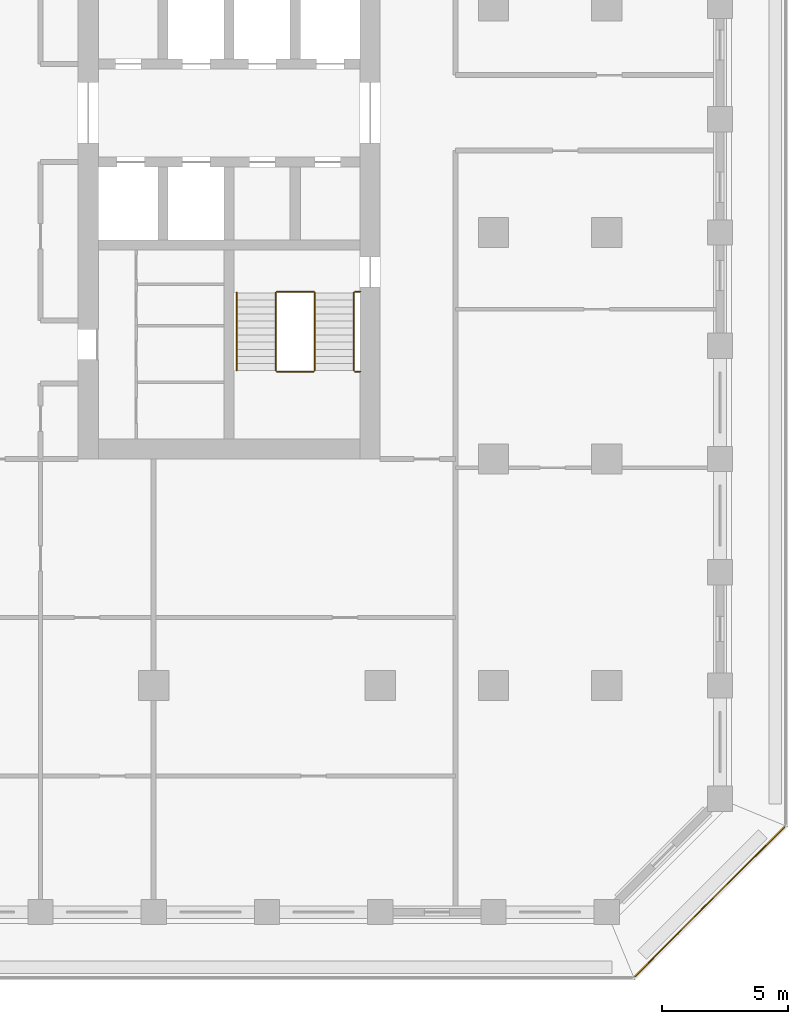
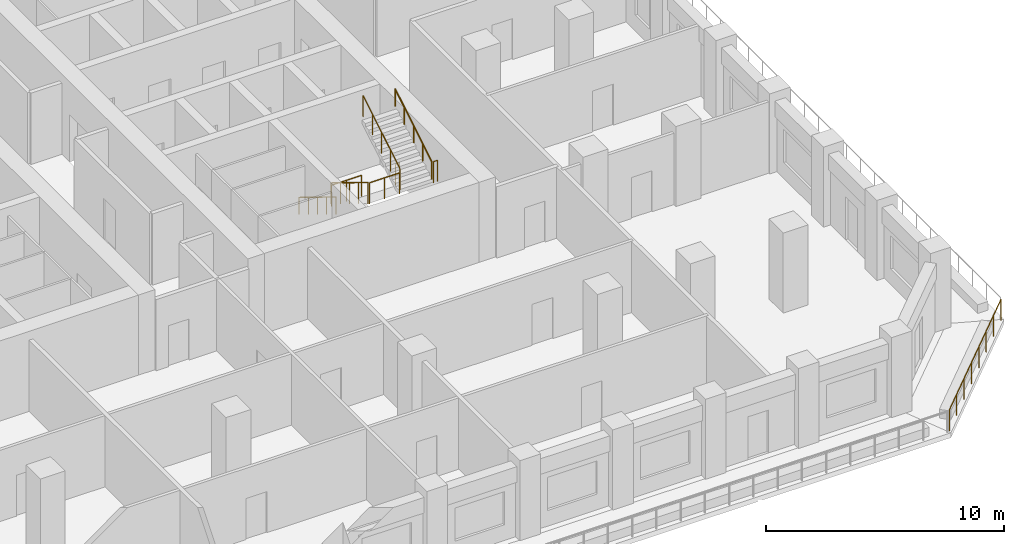
# One storey, part 11 of 16: 9 railings.
"""IFC4 building model written with IfcOpenShell, lengths in metres."""

from ifc_helpers import new_model, si_unit, direction, frame, origin, origin_2d, place, context, subcontext, project, spatial, circle, extrude, material, type_object, element, save


model = new_model("IFC4")

# Units and contexts
model_context = context("Model", 3, precision=1e-05, world=origin(), true_north=direction((0.0, 1.0)))
body_context = subcontext(model_context, "Body", "Model", "MODEL_VIEW")
ifc_project = project(units=[si_unit("LENGTHUNIT", "METRE"), si_unit("AREAUNIT", "SQUARE_METRE"), si_unit("VOLUMEUNIT", "CUBIC_METRE"), si_unit("PLANEANGLEUNIT", "RADIAN"), si_unit("MASSUNIT", "GRAM", prefix="KILO")], contexts=[model_context])

# Site, building, storey
site_placement = place(None, origin())
site = spatial("IfcSite", under=ifc_project, at=site_placement, CompositionType="ELEMENT")
building_placement = place(site_placement, origin())
building = spatial("IfcBuilding", under=site, at=building_placement, Name="Corbel Stack Research Tower", CompositionType="ELEMENT")
storey_placement = place(building_placement, frame((0.0, 0.0, 212.0)))
storey = spatial("IfcBuildingStorey", under=building, at=storey_placement, Name="L48", CompositionType="ELEMENT", Elevation=212.0)

# Railings
ifc_material_1 = material(Name="Steel S355", Category="steel")
railing_type_1 = type_object("IfcRailingType", Name="Stair guard 1100", PredefinedType="GUARDRAIL", material=ifc_material_1)
railing_1_placement = place(storey_placement, frame((13.85009765625, -2.39990234375, 0.1708984375)))
element("IfcRailing", 1, at=railing_1_placement, inside=storey, type_object=railing_type_1, Name="L48 ST-E1 stair guard 1", PredefinedType="GUARDRAIL", context=body_context, shape_type="SweptSolid", body=[
    extrude(circle(Radius=0.02392578125, at=origin_2d()), frame((0.0, 0.0, 1.076171875), z_axis=(0.0, -0.853666305674, 0.52082035152), x_axis=(1.0, 0.0, 0.0)), (0.0, 0.0, 1.0), 3.608154296875),
    extrude(circle(Radius=0.02099609375, at=origin_2d()), origin(), (0.0, 0.0, 1.0), 1.052001953125),
    extrude(circle(Radius=0.02099609375, at=origin_2d()), frame((0.0, -0.77001953125, 0.4697265625)), (0.0, 0.0, 1.0), 1.052001953125),
    extrude(circle(Radius=0.02099609375, at=origin_2d()), frame((0.0, -1.5400390625, 0.939453125)), (0.0, 0.0, 1.0), 1.052001953125),
    extrude(circle(Radius=0.02099609375, at=origin_2d()), frame((0.0, -2.31005859375, 1.409423828125)), (0.0, 0.0, 1.0), 1.052001953125),
    extrude(circle(Radius=0.02099609375, at=origin_2d()), frame((0.0, -3.080078125, 1.879150390625)), (0.0, 0.0, 1.0), 1.052001953125),
])
railing_2_placement = place(storey_placement, frame((13.89990234375, -5.530029296875, 2.050048828125)))
element("IfcRailing", 2, at=railing_2_placement, inside=storey, type_object=railing_type_1, Name="L48 ST-E1 stair guard 2", PredefinedType="GUARDRAIL", context=body_context, shape_type="SweptSolid", body=[
    extrude(circle(Radius=0.02392578125, at=origin_2d()), frame((0.0, 0.0, 1.076171875), z_axis=(1.0, 0.0, 0.0), x_axis=(0.0, 1.0, 0.0)), (0.0, 0.0, 1.0), 1.4501953125),
    extrude(circle(Radius=0.02099609375, at=origin_2d()), origin(), (0.0, 0.0, 1.0), 1.052001953125),
    extrude(circle(Radius=0.02099609375, at=origin_2d()), frame((0.72509765625, 0.0, 0.0)), (0.0, 0.0, 1.0), 1.052001953125),
    extrude(circle(Radius=0.02099609375, at=origin_2d()), frame((1.4501953125, 0.0, 0.0)), (0.0, 0.0, 1.0), 1.052001953125),
])
railing_3_placement = place(storey_placement, frame((17.0, -5.530029296875, 2.050048828125)))
element("IfcRailing", 3, at=railing_3_placement, inside=storey, type_object=railing_type_1, Name="L48 ST-E1 stair guard 3", PredefinedType="GUARDRAIL", context=body_context, shape_type="SweptSolid", body=[
    extrude(circle(Radius=0.02392578125, at=origin_2d()), frame((0.0, 0.0, 1.076171875), z_axis=(1.0, 0.0, 0.0), x_axis=(0.0, 1.0, 0.0)), (0.0, 0.0, 1.0), 0.199951171875),
    extrude(circle(Radius=0.02099609375, at=origin_2d()), origin(), (0.0, 0.0, 1.0), 1.052001953125),
    extrude(circle(Radius=0.02099609375, at=origin_2d()), frame((0.199951171875, 0.0, 0.0)), (0.0, 0.0, 1.0), 1.052001953125),
])
railing_4_placement = place(storey_placement, frame((15.39990234375, -5.47998046875, 2.220947265625)))
element("IfcRailing", 4, at=railing_4_placement, inside=storey, type_object=railing_type_1, Name="L48 ST-E1 stair guard 4", PredefinedType="GUARDRAIL", context=body_context, shape_type="SweptSolid", body=[
    extrude(circle(Radius=0.02392578125, at=origin_2d()), frame((0.0, 0.0, 1.076171875), z_axis=(0.0, 0.853666305674, 0.52082035152), x_axis=(-1.0, 0.0, 0.0)), (0.0, 0.0, 1.0), 3.608154296875),
    extrude(circle(Radius=0.02099609375, at=origin_2d()), origin(), (0.0, 0.0, 1.0), 1.052001953125),
    extrude(circle(Radius=0.02099609375, at=origin_2d()), frame((0.0, 0.77001953125, 0.4697265625)), (0.0, 0.0, 1.0), 1.052001953125),
    extrude(circle(Radius=0.02099609375, at=origin_2d()), frame((0.0, 1.5400390625, 0.939453125)), (0.0, 0.0, 1.0), 1.052001953125),
    extrude(circle(Radius=0.02099609375, at=origin_2d()), frame((0.0, 2.31005859375, 1.409423828125)), (0.0, 0.0, 1.0), 1.052001953125),
    extrude(circle(Radius=0.02099609375, at=origin_2d()), frame((0.0, 3.080078125, 1.879150390625)), (0.0, 0.0, 1.0), 1.052001953125),
])
railing_5_placement = place(storey_placement, frame((13.89990234375, -2.35009765625, 0.0)))
element("IfcRailing", 5, at=railing_5_placement, inside=storey, type_object=railing_type_1, Name="L48 ST-E1 stair guard 5", PredefinedType="GUARDRAIL", context=body_context, shape_type="SweptSolid", body=[
    extrude(circle(Radius=0.02392578125, at=origin_2d()), frame((0.0, 0.0, 1.076171875), z_axis=(1.0, 0.0, 0.0), x_axis=(0.0, 1.0, 0.0)), (0.0, 0.0, 1.0), 1.4501953125),
    extrude(circle(Radius=0.02099609375, at=origin_2d()), origin(), (0.0, 0.0, 1.0), 1.052001953125),
    extrude(circle(Radius=0.02099609375, at=origin_2d()), frame((0.72509765625, 0.0, 0.0)), (0.0, 0.0, 1.0), 1.052001953125),
    extrude(circle(Radius=0.02099609375, at=origin_2d()), frame((1.4501953125, 0.0, 0.0)), (0.0, 0.0, 1.0), 1.052001953125),
])
railing_6_placement = place(storey_placement, frame((17.0, -2.35009765625, 0.0)))
element("IfcRailing", 6, at=railing_6_placement, inside=storey, type_object=railing_type_1, Name="L48 ST-E1 stair guard 6", PredefinedType="GUARDRAIL", context=body_context, shape_type="SweptSolid", body=[
    extrude(circle(Radius=0.02392578125, at=origin_2d()), frame((0.0, 0.0, 1.076171875), z_axis=(1.0, 0.0, 0.0), x_axis=(0.0, 1.0, 0.0)), (0.0, 0.0, 1.0), 0.199951171875),
    extrude(circle(Radius=0.02099609375, at=origin_2d()), origin(), (0.0, 0.0, 1.0), 1.052001953125),
    extrude(circle(Radius=0.02099609375, at=origin_2d()), frame((0.199951171875, 0.0, 0.0)), (0.0, 0.0, 1.0), 1.052001953125),
])
ifc_material_2 = material(Name="Steel S355", Category="steel")
railing_type_2 = type_object("IfcRailingType", Name="Stair handrail 900", PredefinedType="HANDRAIL", material=ifc_material_2)
railing_7_placement = place(storey_placement, frame((12.300048828125, -2.39990234375, 0.1708984375)))
element("IfcRailing", 7, at=railing_7_placement, inside=storey, type_object=railing_type_2, Name="L48 ST-E1 stair handrail 1", PredefinedType="HANDRAIL", context=body_context, shape_type="SweptSolid", body=[
    extrude(circle(Radius=0.02392578125, at=origin_2d()), frame((0.0, 0.0, 0.8759765625), z_axis=(0.0, -0.853666305674, 0.52082035152), x_axis=(1.0, 0.0, 0.0)), (0.0, 0.0, 1.0), 3.608154296875),
    extrude(circle(Radius=0.02099609375, at=origin_2d()), origin(), (0.0, 0.0, 1.0), 0.851806640625),
    extrude(circle(Radius=0.02099609375, at=origin_2d()), frame((0.0, -0.77001953125, 0.4697265625)), (0.0, 0.0, 1.0), 0.851806640625),
    extrude(circle(Radius=0.02099609375, at=origin_2d()), frame((0.0, -1.5400390625, 0.939453125)), (0.0, 0.0, 1.0), 0.851806640625),
    extrude(circle(Radius=0.02099609375, at=origin_2d()), frame((0.0, -2.31005859375, 1.409423828125)), (0.0, 0.0, 1.0), 0.851806640625),
    extrude(circle(Radius=0.02099609375, at=origin_2d()), frame((0.0, -3.080078125, 1.879150390625)), (0.0, 0.0, 1.0), 0.851806640625),
])
railing_8_placement = place(storey_placement, frame((16.949951171875, -5.47998046875, 2.220947265625)))
element("IfcRailing", 8, at=railing_8_placement, inside=storey, type_object=railing_type_2, Name="L48 ST-E1 stair handrail 2", PredefinedType="HANDRAIL", context=body_context, shape_type="SweptSolid", body=[
    extrude(circle(Radius=0.02392578125, at=origin_2d()), frame((0.0, 0.0, 0.8759765625), z_axis=(0.0, 0.853666305674, 0.52082035152), x_axis=(-1.0, 0.0, 0.0)), (0.0, 0.0, 1.0), 3.608154296875),
    extrude(circle(Radius=0.02099609375, at=origin_2d()), origin(), (0.0, 0.0, 1.0), 0.851806640625),
    extrude(circle(Radius=0.02099609375, at=origin_2d()), frame((0.0, 0.77001953125, 0.4697265625)), (0.0, 0.0, 1.0), 0.851806640625),
    extrude(circle(Radius=0.02099609375, at=origin_2d()), frame((0.0, 1.5400390625, 0.939453125)), (0.0, 0.0, 1.0), 0.851806640625),
    extrude(circle(Radius=0.02099609375, at=origin_2d()), frame((0.0, 2.31005859375, 1.409423828125)), (0.0, 0.0, 1.0), 0.851806640625),
    extrude(circle(Radius=0.02099609375, at=origin_2d()), frame((0.0, 3.080078125, 1.879150390625)), (0.0, 0.0, 1.0), 0.851806640625),
])
ifc_material_3 = material(Name="Powder-coated steel guard", Category="steel")
railing_type_3 = type_object("IfcRailingType", Name="Steel and glass guard 1100", PredefinedType="GUARDRAIL", material=ifc_material_3)
railing_9_placement = place(storey_placement, frame((28.127685546875, -29.54931640625, 0.0)))
element("IfcRailing", 9, at=railing_9_placement, inside=storey, type_object=railing_type_3, Name="Loggia guard L48 SE", PredefinedType="GUARDRAIL", context=body_context, shape_type="SweptSolid", body=[
    extrude(circle(Radius=0.02392578125, at=origin_2d()), frame((0.0, 0.0, 1.076171875), z_axis=(0.707106781187, 0.707106781187, 0.0), x_axis=(-0.707106781187, 0.707106781187, 0.0)), (0.0, 0.0, 1.0), 8.37451171875),
    extrude(circle(Radius=0.02099609375, at=origin_2d()), origin(), (0.0, 0.0, 1.0), 1.052001953125),
    extrude(circle(Radius=0.02099609375, at=origin_2d()), frame((0.845947265625, 0.845947265625, 0.0)), (0.0, 0.0, 1.0), 1.052001953125),
    extrude(circle(Radius=0.02099609375, at=origin_2d()), frame((1.69189453125, 1.69189453125, 0.0)), (0.0, 0.0, 1.0), 1.052001953125),
    extrude(circle(Radius=0.02099609375, at=origin_2d()), frame((2.537841796875, 2.537841796875, 0.0)), (0.0, 0.0, 1.0), 1.052001953125),
    extrude(circle(Radius=0.02099609375, at=origin_2d()), frame((3.3837890625, 3.3837890625, 0.0)), (0.0, 0.0, 1.0), 1.052001953125),
    extrude(circle(Radius=0.02099609375, at=origin_2d()), frame((4.229736328125, 4.229736328125, 0.0)), (0.0, 0.0, 1.0), 1.052001953125),
    extrude(circle(Radius=0.02099609375, at=origin_2d()), frame((5.07568359375, 5.07568359375, 0.0)), (0.0, 0.0, 1.0), 1.052001953125),
    extrude(circle(Radius=0.02099609375, at=origin_2d()), frame((5.921630859375, 5.921630859375, 0.0)), (0.0, 0.0, 1.0), 1.052001953125),
])

save(model, "model.ifc")
